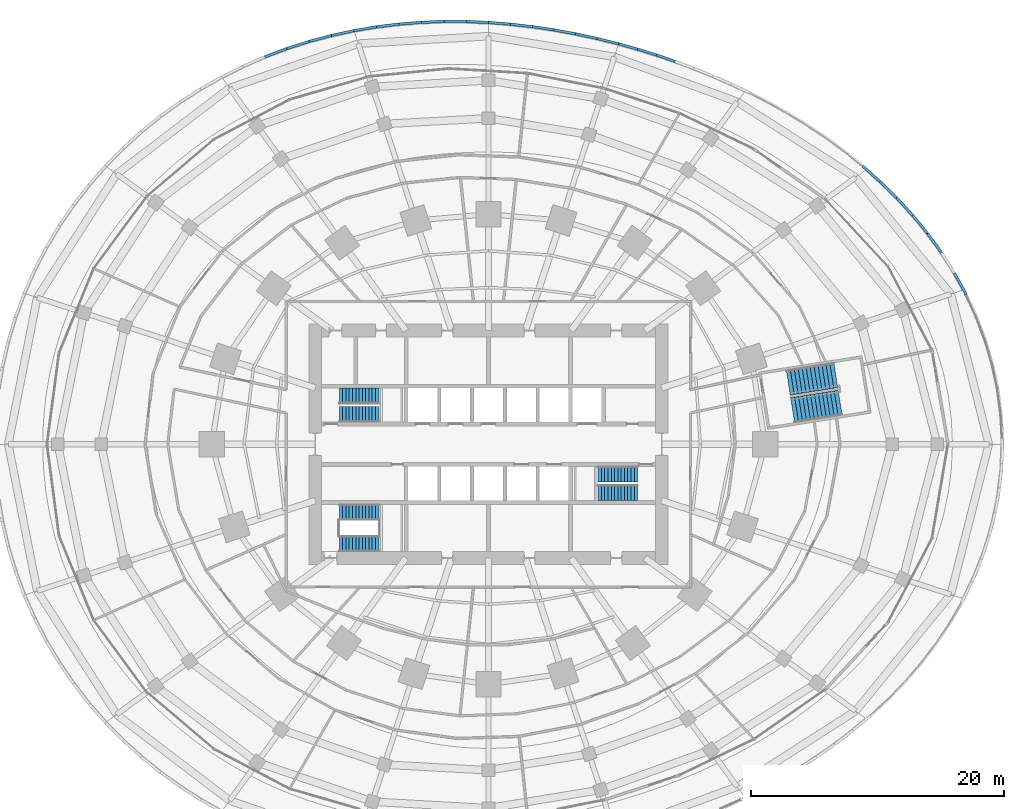
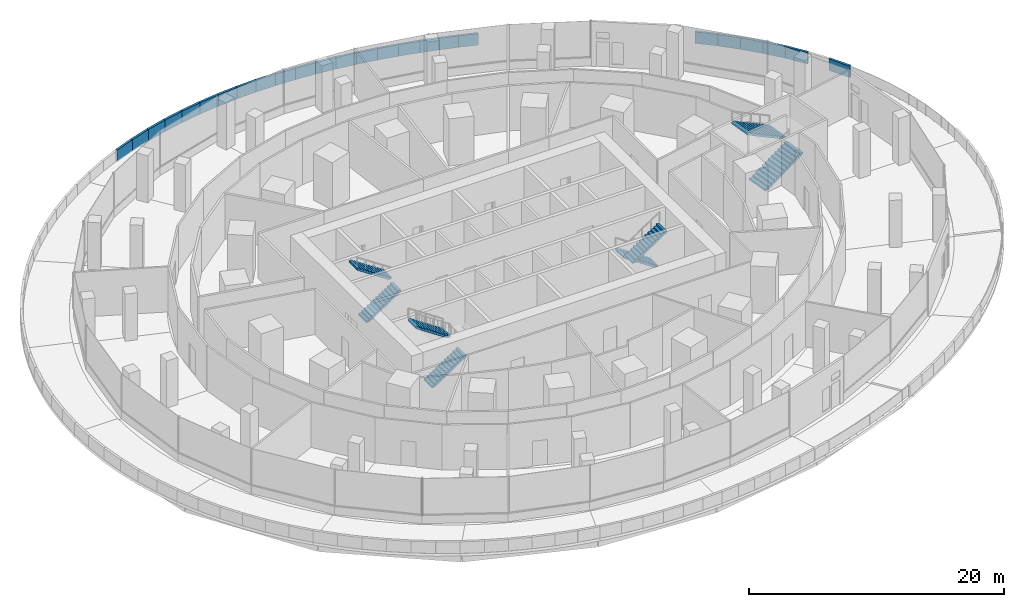
# One storey, part 24 of 27: 25 walls, 8 stair flights, 4 elements without a shape of their own.
"""IFC4 building model written with IfcOpenShell, lengths in metres."""

from ifc_helpers import new_model, si_unit, direction, frame, frame_2d, origin, place, context, subcontext, project, spatial, polyline, rectangle, outline, extrude, material, layer, layer_set, type_object, element, aggregate, save


model = new_model("IFC4")

# Units and contexts
model_context = context("Model", 3, precision=1e-05, world=origin(), true_north=direction((0.0, 1.0)))
body_context = subcontext(model_context, "Body", "Model", "MODEL_VIEW")
ifc_project = project(units=[si_unit("LENGTHUNIT", "METRE"), si_unit("AREAUNIT", "SQUARE_METRE"), si_unit("VOLUMEUNIT", "CUBIC_METRE"), si_unit("PLANEANGLEUNIT", "RADIAN"), si_unit("MASSUNIT", "GRAM", prefix="KILO")], contexts=[model_context])

# Site, building, storey
site_placement = place(None, origin())
site = spatial("IfcSite", under=ifc_project, at=site_placement, CompositionType="ELEMENT")
building_placement = place(site_placement, origin())
building = spatial("IfcBuilding", under=site, at=building_placement, Name="Marramba Exchange Tower", CompositionType="ELEMENT")
storey_placement = place(building_placement, frame((0.0, 0.0, 10.60009765625)))
storey = spatial("IfcBuildingStorey", under=building, at=storey_placement, Name="L02", CompositionType="ELEMENT", Elevation=10.60009765625)

# Walls
ifc_material_1 = material(Name="Concrete N40", Category="concrete")
ifc_layer = layer(ifc_material_1, 0.199951171875)
ifc_layer_set = layer_set([ifc_layer], Name="Roof parapet 200")
wall_type = type_object("IfcWallType", Name="Roof parapet 200", PredefinedType="PARAPET", material=ifc_layer_set)
wall_1_placement = place(storey_placement, frame((37.80078125, 11.8623046875, 0.0), z_axis=(0.0, 0.0, 1.0), x_axis=(-0.479780162958, 0.877388736668, 0.0)))
element("IfcWall", 1, at=wall_1_placement, inside=storey, type_object=wall_type, Name="Parapet L02 bay 02", PredefinedType="PARAPET", context=body_context, shape_type="SweptSolid", body=[
    extrude(rectangle(XDim=1.916259765625, YDim=0.199951171875, at=frame_2d((0.9580078125, 0.0))), origin(), (0.0, 0.0, 1.0), 1.099853515625),
])
wall_2_placement = place(storey_placement, frame((35.860595703125, 15.153076171875, 0.0), z_axis=(0.0, 0.0, 1.0), x_axis=(-0.58683652807, 0.809705433675, 0.0)))
element("IfcWall", 2, at=wall_2_placement, inside=storey, type_object=wall_type, Name="Parapet L02 bay 02", PredefinedType="PARAPET", context=body_context, shape_type="SweptSolid", body=[
    extrude(rectangle(XDim=1.892822265625, YDim=0.199951171875, at=frame_2d((0.9462890625, 0.0))), origin(), (0.0, 0.0, 1.0), 1.099853515625),
])
wall_3_placement = place(storey_placement, frame((34.749755859375, 16.685791015625, 0.0), z_axis=(0.0, 0.0, 1.0), x_axis=(-0.633563348665, 0.773690818886, 0.0)))
element("IfcWall", 3, at=wall_3_placement, inside=storey, type_object=wall_type, Name="Parapet L02 bay 02", PredefinedType="PARAPET", context=body_context, shape_type="SweptSolid", body=[
    extrude(rectangle(XDim=1.878173828125, YDim=0.199951171875, at=frame_2d((0.93896484375, 0.0))), origin(), (0.0, 0.0, 1.0), 1.099853515625),
])
wall_4_placement = place(storey_placement, frame((33.559814453125, 18.138916015625, 0.0), z_axis=(0.0, 0.0, 1.0), x_axis=(-0.67596210735, 0.736936380855, 0.0)))
element("IfcWall", 4, at=wall_4_placement, inside=storey, type_object=wall_type, Name="Parapet L02 bay 02", PredefinedType="PARAPET", context=body_context, shape_type="SweptSolid", body=[
    extrude(rectangle(XDim=1.86181640625, YDim=0.199951171875, at=frame_2d((0.930908203125, 0.0))), origin(), (0.0, 0.0, 1.0), 1.099853515625),
])
wall_5_placement = place(storey_placement, frame((32.30126953125, 19.510986328125, 0.0), z_axis=(0.0, 0.0, 1.0), x_axis=(-0.714091012731, 0.700052873386, 0.0)))
element("IfcWall", 5, at=wall_5_placement, inside=storey, type_object=wall_type, Name="Parapet L02 bay 02", PredefinedType="PARAPET", context=body_context, shape_type="SweptSolid", body=[
    extrude(rectangle(XDim=1.843505859375, YDim=0.199951171875, at=frame_2d((0.921875, 0.0))), origin(), (0.0, 0.0, 1.0), 1.099853515625),
])
wall_6_placement = place(storey_placement, frame((30.98486328125, 20.801513671875, 0.0), z_axis=(0.0, 0.0, 1.0), x_axis=(-0.748198942799, 0.66347444713, 0.0)))
element("IfcWall", 6, at=wall_6_placement, inside=storey, type_object=wall_type, Name="Parapet L02 bay 02", PredefinedType="PARAPET", context=body_context, shape_type="SweptSolid", body=[
    extrude(rectangle(XDim=1.823974609375, YDim=0.199951171875, at=frame_2d((0.912109375, 0.0))), origin(), (0.0, 0.0, 1.0), 1.099853515625),
])
wall_7_placement = place(storey_placement, frame((14.77587890625, 30.298583984375, 0.0), z_axis=(0.0, 0.0, 1.0), x_axis=(-0.946756658341, 0.321950042532, 0.0)))
element("IfcWall", 7, at=wall_7_placement, inside=storey, type_object=wall_type, Name="Parapet L02 bay 04", PredefinedType="PARAPET", context=body_context, shape_type="SweptSolid", body=[
    extrude(rectangle(XDim=1.57275390625, YDim=0.199951171875, at=frame_2d((0.786376953125, 0.0))), origin(), (0.0, 0.0, 1.0), 1.099853515625),
])
wall_8_placement = place(storey_placement, frame((13.286865234375, 30.804931640625, 0.0), z_axis=(0.0, 0.0, 1.0), x_axis=(-0.955155559395, 0.296104470342, 0.0)))
element("IfcWall", 8, at=wall_8_placement, inside=storey, type_object=wall_type, Name="Parapet L02 bay 04", PredefinedType="PARAPET", context=body_context, shape_type="SweptSolid", body=[
    extrude(rectangle(XDim=1.563232421875, YDim=0.199951171875, at=frame_2d((0.78173828125, 0.0))), origin(), (0.0, 0.0, 1.0), 1.099853515625),
])
wall_9_placement = place(storey_placement, frame((11.793701171875, 31.267822265625, 0.0), z_axis=(0.0, 0.0, 1.0), x_axis=(-0.962915101177, 0.269804573582, 0.0)))
element("IfcWall", 9, at=wall_9_placement, inside=storey, type_object=wall_type, Name="Parapet L02 bay 04", PredefinedType="PARAPET", context=body_context, shape_type="SweptSolid", body=[
    extrude(rectangle(XDim=1.555419921875, YDim=0.199951171875, at=frame_2d((0.77783203125, 0.0))), origin(), (0.0, 0.0, 1.0), 1.099853515625),
])
wall_10_placement = place(storey_placement, frame((10.2958984375, 31.6875, 0.0), z_axis=(0.0, 0.0, 1.0), x_axis=(-0.970372624506, 0.241613264555, 0.0)))
element("IfcWall", 10, at=wall_10_placement, inside=storey, type_object=wall_type, Name="Parapet L02 bay 05", PredefinedType="PARAPET", context=body_context, shape_type="SweptSolid", body=[
    extrude(rectangle(XDim=1.744140625, YDim=0.199951171875, at=frame_2d((0.8720703125, 0.0))), origin(), (0.0, 0.0, 1.0), 1.099853515625),
])
wall_11_placement = place(storey_placement, frame((8.603515625, 32.10888671875, 0.0), z_axis=(0.0, 0.0, 1.0), x_axis=(-0.977441578101, 0.211205969137, 0.0)))
element("IfcWall", 11, at=wall_11_placement, inside=storey, type_object=wall_type, Name="Parapet L02 bay 05", PredefinedType="PARAPET", context=body_context, shape_type="SweptSolid", body=[
    extrude(rectangle(XDim=1.73974609375, YDim=0.199951171875, at=frame_2d((0.869873046875, 0.0))), origin(), (0.0, 0.0, 1.0), 1.099853515625),
])
wall_12_placement = place(storey_placement, frame((6.903076171875, 32.476318359375, 0.0), z_axis=(0.0, 0.0, 1.0), x_axis=(-0.983678316313, 0.17993601645, 0.0)))
element("IfcWall", 12, at=wall_12_placement, inside=storey, type_object=wall_type, Name="Parapet L02 bay 05", PredefinedType="PARAPET", context=body_context, shape_type="SweptSolid", body=[
    extrude(rectangle(XDim=1.738037109375, YDim=0.199951171875, at=frame_2d((0.869140625, 0.0))), origin(), (0.0, 0.0, 1.0), 1.099853515625),
])
wall_13_placement = place(storey_placement, frame((5.193359375, 32.7890625, 0.0), z_axis=(0.0, 0.0, 1.0), x_axis=(-0.989077989653, 0.14739311512, 0.0)))
element("IfcWall", 13, at=wall_13_placement, inside=storey, type_object=wall_type, Name="Parapet L02 bay 05", PredefinedType="PARAPET", context=body_context, shape_type="SweptSolid", body=[
    extrude(rectangle(XDim=1.7392578125, YDim=0.199951171875, at=frame_2d((0.86962890625, 0.0))), origin(), (0.0, 0.0, 1.0), 1.099853515625),
])
wall_14_placement = place(storey_placement, frame((3.47314453125, 33.04541015625, 0.0), z_axis=(0.0, 0.0, 1.0), x_axis=(-0.993537188621, 0.113507069504, 0.0)))
element("IfcWall", 14, at=wall_14_placement, inside=storey, type_object=wall_type, Name="Parapet L02 bay 05", PredefinedType="PARAPET", context=body_context, shape_type="SweptSolid", body=[
    extrude(rectangle(XDim=1.7421875, YDim=0.199951171875, at=frame_2d((0.87109375, 0.0))), origin(), (0.0, 0.0, 1.0), 1.099853515625),
])
wall_15_placement = place(storey_placement, frame((1.7421875, 33.2431640625, 0.0), z_axis=(0.0, 0.0, 1.0), x_axis=(-0.996934960307, 0.078234806302, 0.0)))
element("IfcWall", 15, at=wall_15_placement, inside=storey, type_object=wall_type, Name="Parapet L02 bay 05", PredefinedType="PARAPET", context=body_context, shape_type="SweptSolid", body=[
    extrude(rectangle(XDim=1.74755859375, YDim=0.199951171875, at=frame_2d((0.873779296875, 0.0))), origin(), (0.0, 0.0, 1.0), 1.099853515625),
])
wall_16_placement = place(storey_placement, frame((0.0, 33.3798828125, 0.0), z_axis=(0.0, 0.0, 1.0), x_axis=(-0.999140051998, 0.041462712087, 0.0)))
element("IfcWall", 16, at=wall_16_placement, inside=storey, type_object=wall_type, Name="Parapet L02 bay 06", PredefinedType="PARAPET", context=body_context, shape_type="SweptSolid", body=[
    extrude(rectangle(XDim=1.754638671875, YDim=0.199951171875, at=frame_2d((0.87744140625, 0.0))), origin(), (0.0, 0.0, 1.0), 1.099853515625),
])
wall_17_placement = place(storey_placement, frame((-1.753173828125, 33.45263671875, 0.0), z_axis=(0.0, 0.0, 1.0), x_axis=(-0.9999957736, 0.002907366918, 0.0)))
element("IfcWall", 17, at=wall_17_placement, inside=storey, type_object=wall_type, Name="Parapet L02 bay 06", PredefinedType="PARAPET", context=body_context, shape_type="SweptSolid", body=[
    extrude(rectangle(XDim=1.763427734375, YDim=0.199951171875, at=frame_2d((0.8818359375, 0.0))), origin(), (0.0, 0.0, 1.0), 1.099853515625),
])
wall_18_placement = place(storey_placement, frame((-3.5166015625, 33.457763671875, 0.0), z_axis=(0.0, 0.0, 1.0), x_axis=(-0.999314079228, -0.037032027457, 0.0)))
element("IfcWall", 18, at=wall_18_placement, inside=storey, type_object=wall_type, Name="Parapet L02 bay 06", PredefinedType="PARAPET", context=body_context, shape_type="SweptSolid", body=[
    extrude(rectangle(XDim=1.7734375, YDim=0.199951171875, at=frame_2d((0.88671875, 0.0))), origin(), (0.0, 0.0, 1.0), 1.099853515625),
])
wall_19_placement = place(storey_placement, frame((-5.288818359375, 33.39208984375, 0.0), z_axis=(0.0, 0.0, 1.0), x_axis=(-0.996901254951, -0.078663129079, 0.0)))
element("IfcWall", 19, at=wall_19_placement, inside=storey, type_object=wall_type, Name="Parapet L02 bay 06", PredefinedType="PARAPET", context=body_context, shape_type="SweptSolid", body=[
    extrude(rectangle(XDim=1.78466796875, YDim=0.199951171875, at=frame_2d((0.892333984375, 0.0))), origin(), (0.0, 0.0, 1.0), 1.099853515625),
])
wall_20_placement = place(storey_placement, frame((-7.06787109375, 33.251708984375, 0.0), z_axis=(0.0, 0.0, 1.0), x_axis=(-0.992594415476, -0.121475620457, 0.0)))
element("IfcWall", 20, at=wall_20_placement, inside=storey, type_object=wall_type, Name="Parapet L02 bay 06", PredefinedType="PARAPET", context=body_context, shape_type="SweptSolid", body=[
    extrude(rectangle(XDim=1.796875, YDim=0.199951171875, at=frame_2d((0.8984375, 0.0))), origin(), (0.0, 0.0, 1.0), 1.099853515625),
])
wall_21_placement = place(storey_placement, frame((-8.851318359375, 33.033447265625, 0.0), z_axis=(0.0, 0.0, 1.0), x_axis=(-0.986155870831, -0.165820983069, 0.0)))
element("IfcWall", 21, at=wall_21_placement, inside=storey, type_object=wall_type, Name="Parapet L02 bay 06", PredefinedType="PARAPET", context=body_context, shape_type="SweptSolid", body=[
    extrude(rectangle(XDim=1.8095703125, YDim=0.199951171875, at=frame_2d((0.90478515625, 0.0))), origin(), (0.0, 0.0, 1.0), 1.099853515625),
])
wall_22_placement = place(storey_placement, frame((-10.6357421875, 32.7333984375, 0.0), z_axis=(0.0, 0.0, 1.0), x_axis=(-0.977467969996, -0.211083792918, 0.0)))
element("IfcWall", 22, at=wall_22_placement, inside=storey, type_object=wall_type, Name="Parapet L02 bay 07", PredefinedType="PARAPET", context=body_context, shape_type="SweptSolid", body=[
    extrude(rectangle(XDim=1.82275390625, YDim=0.199951171875, at=frame_2d((0.911376953125, 0.0))), origin(), (0.0, 0.0, 1.0), 1.099853515625),
])
wall_23_placement = place(storey_placement, frame((-12.41748046875, 32.3486328125, 0.0), z_axis=(0.0, 0.0, 1.0), x_axis=(-0.966347378335, -0.257240635174, 0.0)))
element("IfcWall", 23, at=wall_23_placement, inside=storey, type_object=wall_type, Name="Parapet L02 bay 07", PredefinedType="PARAPET", context=body_context, shape_type="SweptSolid", body=[
    extrude(rectangle(XDim=1.83642578125, YDim=0.199951171875, at=frame_2d((0.918212890625, 0.0))), origin(), (0.0, 0.0, 1.0), 1.099853515625),
])
wall_24_placement = place(storey_placement, frame((-14.192138671875, 31.876220703125, 0.0), z_axis=(0.0, 0.0, 1.0), x_axis=(-0.952681161271, -0.30397138839, 0.0)))
element("IfcWall", 24, at=wall_24_placement, inside=storey, type_object=wall_type, Name="Parapet L02 bay 07", PredefinedType="PARAPET", context=body_context, shape_type="SweptSolid", body=[
    extrude(rectangle(XDim=1.8505859375, YDim=0.199951171875, at=frame_2d((0.92529296875, 0.0))), origin(), (0.0, 0.0, 1.0), 1.099853515625),
])
wall_25_placement = place(storey_placement, frame((-15.955078125, 31.313720703125, 0.0), z_axis=(0.0, 0.0, 1.0), x_axis=(-0.936253818033, -0.351324334795, 0.0)))
element("IfcWall", 25, at=wall_25_placement, inside=storey, type_object=wall_type, Name="Parapet L02 bay 07", PredefinedType="PARAPET", context=body_context, shape_type="SweptSolid", body=[
    extrude(rectangle(XDim=1.864501953125, YDim=0.199951171875, at=frame_2d((0.93212890625, 0.0))), origin(), (0.0, 0.0, 1.0), 1.099853515625),
])

# Stair, stair flights
ifc_material_2 = material(Name="Concrete N40 (40 MPa)", Category="concrete")
stair_type_1 = type_object("IfcStairType", Name="Exit stair ST1 4500 x 1250", PredefinedType="HALF_TURN_STAIR", material=ifc_material_2)
stair_1_placement = place(storey_placement, origin())
stair_1 = element("IfcStair", 26, at=stair_1_placement, inside=storey, type_object=stair_type_1, Name="Exit stair ST1 L02", PredefinedType="HALF_TURN_STAIR")
stair_flight_type_1 = type_object("IfcStairFlightType", Name="ST1 stair flight 1731 riser 1250 wide", PredefinedType="STRAIGHT", material=ifc_material_2)
stair_flight_1_placement = place(storey_placement, frame((-11.800048828125, 2.375, 0.0), z_axis=(0.0, 0.0, 1.0), x_axis=(1.0, 0.0, 0.0)))
stair_flight_1 = element("IfcStairFlight", 27, at=stair_flight_1_placement, type_object=stair_flight_type_1, Name="ST1 flight 1", NumberOfRisers=13, NumberOfTreads=12, PredefinedType="STRAIGHT", RiserHeight=0.173076923, TreadLength=0.26, context=body_context, shape_type="SweptSolid", body=[
    extrude(outline(polyline([(0.0, 0.0), (0.0, 0.173095703125), (0.260009765625, 0.173095703125), (0.260009765625, 0.34619140625), (0.52001953125, 0.34619140625), (0.52001953125, 0.519287109375), (0.780029296875, 0.519287109375), (0.780029296875, 0.6923828125), (1.0400390625, 0.6923828125), (1.0400390625, 0.865478515625), (1.300048828125, 0.865478515625), (1.300048828125, 1.03857421875), (1.56005859375, 1.03857421875), (1.56005859375, 1.21142578125), (1.820068359375, 1.21142578125), (1.820068359375, 1.384521484375), (2.080078125, 1.384521484375), (2.080078125, 1.5576171875), (2.340087890625, 1.5576171875), (2.340087890625, 1.730712890625), (2.60009765625, 1.730712890625), (2.60009765625, 1.90380859375), (2.860107421875, 1.90380859375), (2.860107421875, 2.076904296875), (3.1201171875, 2.076904296875), (3.1201171875, 2.25), (3.1201171875, 1.896728515625), (0.2705078125, 0.0), (0.0, 0.0)])), frame((0.0, 0.625, 0.0), z_axis=(0.0, -1.0, 0.0), x_axis=(1.0, 0.0, 0.0)), (0.0, 0.0, 1.0), 1.25),
])
stair_flight_2_placement = place(storey_placement, frame((-8.679931640625, 3.824951171875, 2.25), z_axis=(0.0, 0.0, 1.0), x_axis=(-1.0, 0.0, 0.0)))
stair_flight_2 = element("IfcStairFlight", 28, at=stair_flight_2_placement, type_object=stair_flight_type_1, Name="ST1 flight 2", NumberOfRisers=13, NumberOfTreads=12, PredefinedType="STRAIGHT", RiserHeight=0.173076923, TreadLength=0.26, context=body_context, shape_type="SweptSolid", body=[
    extrude(outline(polyline([(0.0, 0.0), (0.0, 0.173095703125), (0.260009765625, 0.173095703125), (0.260009765625, 0.34619140625), (0.52001953125, 0.34619140625), (0.52001953125, 0.519287109375), (0.780029296875, 0.519287109375), (0.780029296875, 0.6923828125), (1.0400390625, 0.6923828125), (1.0400390625, 0.865478515625), (1.300048828125, 0.865478515625), (1.300048828125, 1.03857421875), (1.56005859375, 1.03857421875), (1.56005859375, 1.21142578125), (1.820068359375, 1.21142578125), (1.820068359375, 1.384521484375), (2.080078125, 1.384521484375), (2.080078125, 1.5576171875), (2.340087890625, 1.5576171875), (2.340087890625, 1.730712890625), (2.60009765625, 1.730712890625), (2.60009765625, 1.90380859375), (2.860107421875, 1.90380859375), (2.860107421875, 2.076904296875), (3.1201171875, 2.076904296875), (3.1201171875, 2.25), (3.1201171875, 1.896728515625), (0.2705078125, 0.0), (0.0, 0.0)])), frame((0.0, 0.625, 0.0), z_axis=(0.0, -1.0, 0.0), x_axis=(1.0, 0.0, 0.0)), (0.0, 0.0, 1.0), 1.25),
])
aggregate(stair_1, [stair_flight_1, stair_flight_2])

stair_type_2 = type_object("IfcStairType", Name="Exit stair ST2 4500 x 1250", PredefinedType="HALF_TURN_STAIR", material=ifc_material_2)
stair_2_placement = place(storey_placement, origin())
stair_2 = element("IfcStair", 29, at=stair_2_placement, inside=storey, type_object=stair_type_2, Name="Exit stair ST2 L02", PredefinedType="HALF_TURN_STAIR")
stair_flight_type_2 = type_object("IfcStairFlightType", Name="ST2 stair flight 1731 riser 1250 wide", PredefinedType="STRAIGHT", material=ifc_material_2)
stair_flight_3_placement = place(storey_placement, frame((11.800048828125, -2.375, 0.0), z_axis=(0.0, 0.0, 1.0), x_axis=(-1.0, 0.0, 0.0)))
stair_flight_3 = element("IfcStairFlight", 30, at=stair_flight_3_placement, type_object=stair_flight_type_2, Name="ST2 flight 1", NumberOfRisers=13, NumberOfTreads=12, PredefinedType="STRAIGHT", RiserHeight=0.173076923, TreadLength=0.26, context=body_context, shape_type="SweptSolid", body=[
    extrude(outline(polyline([(0.0, 0.0), (0.0, 0.173095703125), (0.260009765625, 0.173095703125), (0.260009765625, 0.34619140625), (0.52001953125, 0.34619140625), (0.52001953125, 0.519287109375), (0.780029296875, 0.519287109375), (0.780029296875, 0.6923828125), (1.0400390625, 0.6923828125), (1.0400390625, 0.865478515625), (1.300048828125, 0.865478515625), (1.300048828125, 1.03857421875), (1.56005859375, 1.03857421875), (1.56005859375, 1.21142578125), (1.820068359375, 1.21142578125), (1.820068359375, 1.384521484375), (2.080078125, 1.384521484375), (2.080078125, 1.5576171875), (2.340087890625, 1.5576171875), (2.340087890625, 1.730712890625), (2.60009765625, 1.730712890625), (2.60009765625, 1.90380859375), (2.860107421875, 1.90380859375), (2.860107421875, 2.076904296875), (3.1201171875, 2.076904296875), (3.1201171875, 2.25), (3.1201171875, 1.896728515625), (0.2705078125, 0.0), (0.0, 0.0)])), frame((0.0, 0.625, 0.0), z_axis=(0.0, -1.0, 0.0), x_axis=(1.0, 0.0, 0.0)), (0.0, 0.0, 1.0), 1.25),
])
stair_flight_4_placement = place(storey_placement, frame((8.679931640625, -3.824951171875, 2.25), z_axis=(0.0, 0.0, 1.0), x_axis=(1.0, 0.0, 0.0)))
stair_flight_4 = element("IfcStairFlight", 31, at=stair_flight_4_placement, type_object=stair_flight_type_2, Name="ST2 flight 2", NumberOfRisers=13, NumberOfTreads=12, PredefinedType="STRAIGHT", RiserHeight=0.173076923, TreadLength=0.26, context=body_context, shape_type="SweptSolid", body=[
    extrude(outline(polyline([(0.0, 0.0), (0.0, 0.173095703125), (0.260009765625, 0.173095703125), (0.260009765625, 0.34619140625), (0.52001953125, 0.34619140625), (0.52001953125, 0.519287109375), (0.780029296875, 0.519287109375), (0.780029296875, 0.6923828125), (1.0400390625, 0.6923828125), (1.0400390625, 0.865478515625), (1.300048828125, 0.865478515625), (1.300048828125, 1.03857421875), (1.56005859375, 1.03857421875), (1.56005859375, 1.21142578125), (1.820068359375, 1.21142578125), (1.820068359375, 1.384521484375), (2.080078125, 1.384521484375), (2.080078125, 1.5576171875), (2.340087890625, 1.5576171875), (2.340087890625, 1.730712890625), (2.60009765625, 1.730712890625), (2.60009765625, 1.90380859375), (2.860107421875, 1.90380859375), (2.860107421875, 2.076904296875), (3.1201171875, 2.076904296875), (3.1201171875, 2.25), (3.1201171875, 1.896728515625), (0.2705078125, 0.0), (0.0, 0.0)])), frame((0.0, 0.625, 0.0), z_axis=(0.0, -1.0, 0.0), x_axis=(1.0, 0.0, 0.0)), (0.0, 0.0, 1.0), 1.25),
])
aggregate(stair_2, [stair_flight_3, stair_flight_4])

stair_type_3 = type_object("IfcStairType", Name="Exit stair ST3 4500 x 1250", PredefinedType="HALF_TURN_STAIR", material=ifc_material_2)
stair_3_placement = place(storey_placement, origin())
stair_3 = element("IfcStair", 32, at=stair_3_placement, inside=storey, type_object=stair_type_3, Name="Exit stair ST3 L02", PredefinedType="HALF_TURN_STAIR")
stair_flight_type_3 = type_object("IfcStairFlightType", Name="ST3 stair flight 1731 riser 1250 wide", PredefinedType="STRAIGHT", material=ifc_material_2)
stair_flight_5_placement = place(storey_placement, frame((-11.800048828125, -7.875, 0.0), z_axis=(0.0, 0.0, 1.0), x_axis=(1.0, 0.0, 0.0)))
stair_flight_5 = element("IfcStairFlight", 33, at=stair_flight_5_placement, type_object=stair_flight_type_3, Name="ST3 flight 1", NumberOfRisers=13, NumberOfTreads=12, PredefinedType="STRAIGHT", RiserHeight=0.173076923, TreadLength=0.26, context=body_context, shape_type="SweptSolid", body=[
    extrude(outline(polyline([(0.0, 0.0), (0.0, 0.173095703125), (0.260009765625, 0.173095703125), (0.260009765625, 0.34619140625), (0.52001953125, 0.34619140625), (0.52001953125, 0.519287109375), (0.780029296875, 0.519287109375), (0.780029296875, 0.6923828125), (1.0400390625, 0.6923828125), (1.0400390625, 0.865478515625), (1.300048828125, 0.865478515625), (1.300048828125, 1.03857421875), (1.56005859375, 1.03857421875), (1.56005859375, 1.21142578125), (1.820068359375, 1.21142578125), (1.820068359375, 1.384521484375), (2.080078125, 1.384521484375), (2.080078125, 1.5576171875), (2.340087890625, 1.5576171875), (2.340087890625, 1.730712890625), (2.60009765625, 1.730712890625), (2.60009765625, 1.90380859375), (2.860107421875, 1.90380859375), (2.860107421875, 2.076904296875), (3.1201171875, 2.076904296875), (3.1201171875, 2.25), (3.1201171875, 1.896728515625), (0.2705078125, 0.0), (0.0, 0.0)])), frame((0.0, 0.625, 0.0), z_axis=(0.0, -1.0, 0.0), x_axis=(1.0, 0.0, 0.0)), (0.0, 0.0, 1.0), 1.25),
])
stair_flight_6_placement = place(storey_placement, frame((-8.679931640625, -5.375, 2.25), z_axis=(0.0, 0.0, 1.0), x_axis=(-1.0, 0.0, 0.0)))
stair_flight_6 = element("IfcStairFlight", 34, at=stair_flight_6_placement, type_object=stair_flight_type_3, Name="ST3 flight 2", NumberOfRisers=13, NumberOfTreads=12, PredefinedType="STRAIGHT", RiserHeight=0.173076923, TreadLength=0.26, context=body_context, shape_type="SweptSolid", body=[
    extrude(outline(polyline([(0.0, 0.0), (0.0, 0.173095703125), (0.260009765625, 0.173095703125), (0.260009765625, 0.34619140625), (0.52001953125, 0.34619140625), (0.52001953125, 0.519287109375), (0.780029296875, 0.519287109375), (0.780029296875, 0.6923828125), (1.0400390625, 0.6923828125), (1.0400390625, 0.865478515625), (1.300048828125, 0.865478515625), (1.300048828125, 1.03857421875), (1.56005859375, 1.03857421875), (1.56005859375, 1.21142578125), (1.820068359375, 1.21142578125), (1.820068359375, 1.384521484375), (2.080078125, 1.384521484375), (2.080078125, 1.5576171875), (2.340087890625, 1.5576171875), (2.340087890625, 1.730712890625), (2.60009765625, 1.730712890625), (2.60009765625, 1.90380859375), (2.860107421875, 1.90380859375), (2.860107421875, 2.076904296875), (3.1201171875, 2.076904296875), (3.1201171875, 2.25), (3.1201171875, 1.896728515625), (0.2705078125, 0.0), (0.0, 0.0)])), frame((0.0, 0.625, 0.0), z_axis=(0.0, -1.0, 0.0), x_axis=(1.0, 0.0, 0.0)), (0.0, 0.0, 1.0), 1.25),
])
aggregate(stair_3, [stair_flight_5, stair_flight_6])

stair_type_4 = type_object("IfcStairType", Name="Exit stair ST4 4500 x 2000", PredefinedType="HALF_TURN_STAIR", material=ifc_material_2)
stair_4_placement = place(storey_placement, origin())
stair_4 = element("IfcStair", 35, at=stair_4_placement, inside=storey, type_object=stair_type_4, Name="Exit stair ST4 L02", PredefinedType="HALF_TURN_STAIR")
stair_flight_type_4 = type_object("IfcStairFlightType", Name="ST4 stair flight 1731 riser 2000 wide", PredefinedType="STRAIGHT", material=ifc_material_2)
stair_flight_7_placement = place(storey_placement, frame((24.07421875, 2.69921875, 0.0), z_axis=(0.0, 0.0, 1.0), x_axis=(0.987688340595, 0.15643446504, 0.0)))
stair_flight_7 = element("IfcStairFlight", 36, at=stair_flight_7_placement, type_object=stair_flight_type_4, Name="ST4 flight 1", NumberOfRisers=13, NumberOfTreads=12, PredefinedType="STRAIGHT", RiserHeight=0.173076923, TreadLength=0.317, context=body_context, shape_type="SweptSolid", body=[
    extrude(outline(polyline([(0.0, 0.0), (0.0, 0.173095703125), (0.31689453125, 0.173095703125), (0.31689453125, 0.34619140625), (0.634033203125, 0.34619140625), (0.634033203125, 0.519287109375), (0.950927734375, 0.519287109375), (0.950927734375, 0.6923828125), (1.26806640625, 0.6923828125), (1.26806640625, 0.865478515625), (1.5849609375, 0.865478515625), (1.5849609375, 1.03857421875), (1.902099609375, 1.03857421875), (1.902099609375, 1.21142578125), (2.218994140625, 1.21142578125), (2.218994140625, 1.384521484375), (2.535888671875, 1.384521484375), (2.535888671875, 1.5576171875), (2.85302734375, 1.5576171875), (2.85302734375, 1.730712890625), (3.169921875, 1.730712890625), (3.169921875, 1.90380859375), (3.487060546875, 1.90380859375), (3.487060546875, 2.076904296875), (3.803955078125, 2.076904296875), (3.803955078125, 2.25), (3.803955078125, 1.90625), (0.312744140625, 0.0), (0.0, 0.0)])), frame((0.0, 1.0, 0.0), z_axis=(0.0, -1.0, 0.0), x_axis=(1.0, 0.0, 0.0)), (0.0, 0.0, 1.0), 2.0),
])
stair_flight_8_placement = place(storey_placement, frame((27.487060546875, 5.46728515625, 2.25), z_axis=(0.0, 0.0, 1.0), x_axis=(-0.987688340595, -0.15643446504, 0.0)))
stair_flight_8 = element("IfcStairFlight", 37, at=stair_flight_8_placement, type_object=stair_flight_type_4, Name="ST4 flight 2", NumberOfRisers=13, NumberOfTreads=12, PredefinedType="STRAIGHT", RiserHeight=0.173076923, TreadLength=0.317, context=body_context, shape_type="SweptSolid", body=[
    extrude(outline(polyline([(0.0, 0.0), (0.0, 0.173095703125), (0.31689453125, 0.173095703125), (0.31689453125, 0.34619140625), (0.634033203125, 0.34619140625), (0.634033203125, 0.519287109375), (0.950927734375, 0.519287109375), (0.950927734375, 0.6923828125), (1.26806640625, 0.6923828125), (1.26806640625, 0.865478515625), (1.5849609375, 0.865478515625), (1.5849609375, 1.03857421875), (1.902099609375, 1.03857421875), (1.902099609375, 1.21142578125), (2.218994140625, 1.21142578125), (2.218994140625, 1.384521484375), (2.535888671875, 1.384521484375), (2.535888671875, 1.5576171875), (2.85302734375, 1.5576171875), (2.85302734375, 1.730712890625), (3.169921875, 1.730712890625), (3.169921875, 1.90380859375), (3.487060546875, 1.90380859375), (3.487060546875, 2.076904296875), (3.803955078125, 2.076904296875), (3.803955078125, 2.25), (3.803955078125, 1.90625), (0.312744140625, 0.0), (0.0, 0.0)])), frame((0.0, 1.0, 0.0), z_axis=(0.0, -1.0, 0.0), x_axis=(1.0, 0.0, 0.0)), (0.0, 0.0, 1.0), 2.0),
])
aggregate(stair_4, [stair_flight_7, stair_flight_8])

save(model, "model.ifc")
